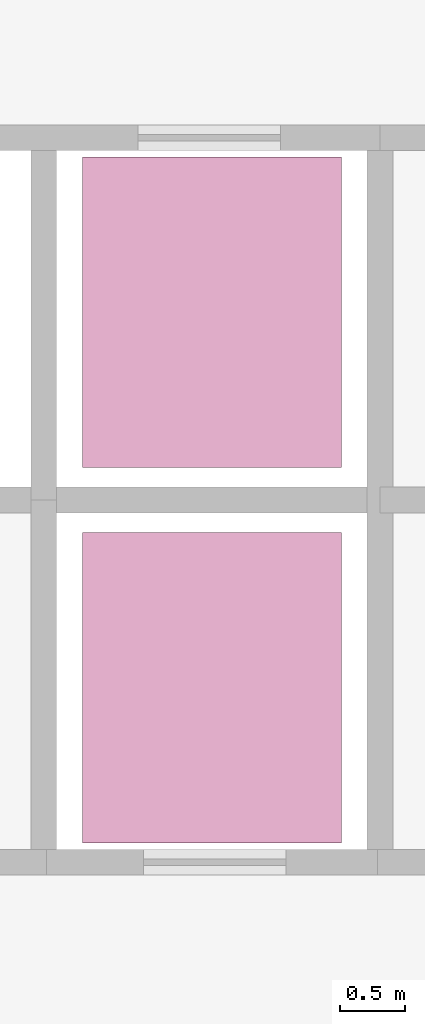
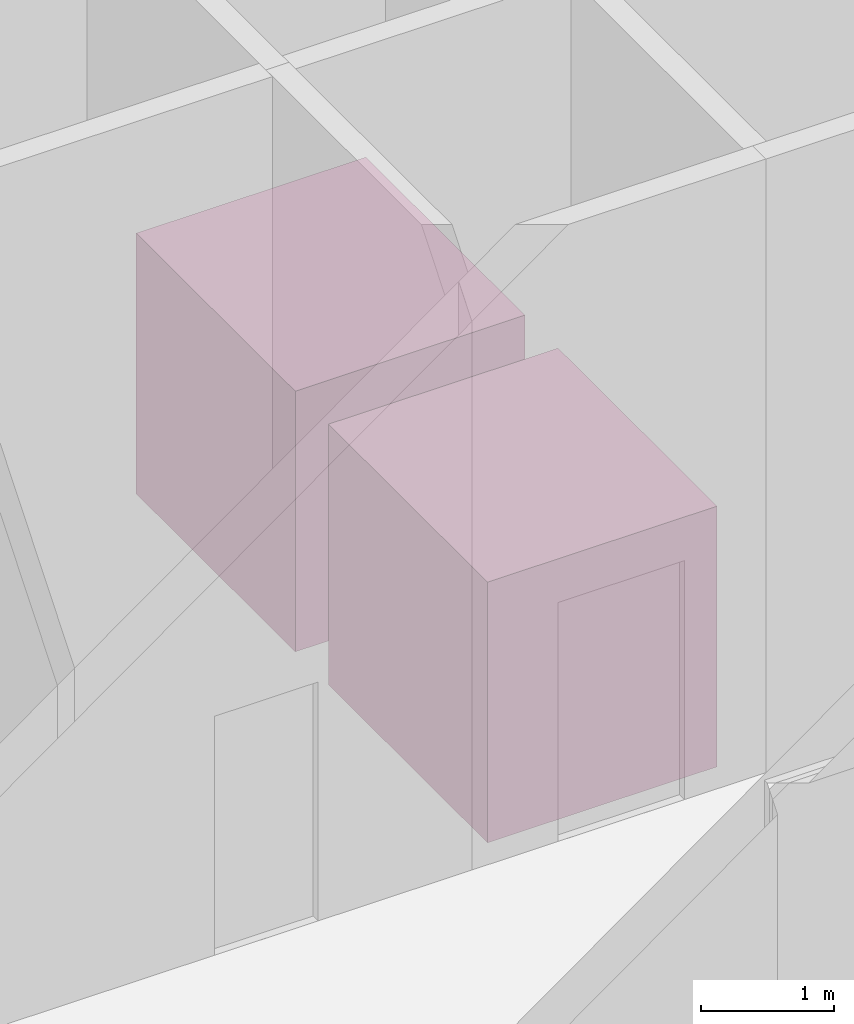
# One storey, part 36 of 36: 2 transport elements.
"""IFC4 building model written with IfcOpenShell, lengths in metres."""

from ifc_helpers import new_model, si_unit, direction, frame, origin, origin_2d, place, context, subcontext, project, spatial, rectangle, extrude, material, type_object, element, save


model = new_model("IFC4")

# Units and contexts
model_context = context("Model", 3, precision=1e-05, world=origin(), true_north=direction((0.0, 1.0)))
body_context = subcontext(model_context, "Body", "Model", "MODEL_VIEW")
ifc_project = project(units=[si_unit("LENGTHUNIT", "METRE"), si_unit("AREAUNIT", "SQUARE_METRE"), si_unit("VOLUMEUNIT", "CUBIC_METRE"), si_unit("PLANEANGLEUNIT", "RADIAN"), si_unit("MASSUNIT", "GRAM", prefix="KILO")], contexts=[model_context])

# Site, building, storey
site_placement = place(None, origin())
site = spatial("IfcSite", under=ifc_project, at=site_placement, CompositionType="ELEMENT")
building_placement = place(site_placement, origin())
building = spatial("IfcBuilding", under=site, at=building_placement, Name="Msitu Wima Residences", CompositionType="ELEMENT")
storey_placement = place(building_placement, origin())
storey = spatial("IfcBuildingStorey", under=building, at=storey_placement, Name="L00", CompositionType="ELEMENT", Elevation=0.0)

# Transport elements
ifc_material = material(Name="Steel lift car, stainless steel lining", Category="steel")
transport_element_type = type_object("IfcTransportElementType", Name="Express shuttle lift SH", PredefinedType="ELEVATOR", material=ifc_material)
for number, where, z_axis, x_axis, name in (
    (1, (9.10009765625, 1.449951171875, 0.0), (0.0, 0.0, 1.0), (1.0, 0.0, 0.0), "Shuttle lift S1"),
    (2, (9.10009765625, -1.449951171875, 0.0), (0.0, 0.0, 1.0), (1.0, 0.0, 0.0), "Shuttle lift S2"),
):
    element("IfcTransportElement", number, at=place(storey_placement, frame(where, z_axis=z_axis, x_axis=x_axis)), inside=storey, type_object=transport_element_type, Name=name, PredefinedType="ELEVATOR", context=body_context, shape_type="SweptSolid", body=[
        extrude(rectangle(XDim=2.0, YDim=2.39990234375, at=origin_2d()), origin(), (0.0, 0.0, 1.0), 2.39990234375),
    ])

save(model, "model.ifc")
